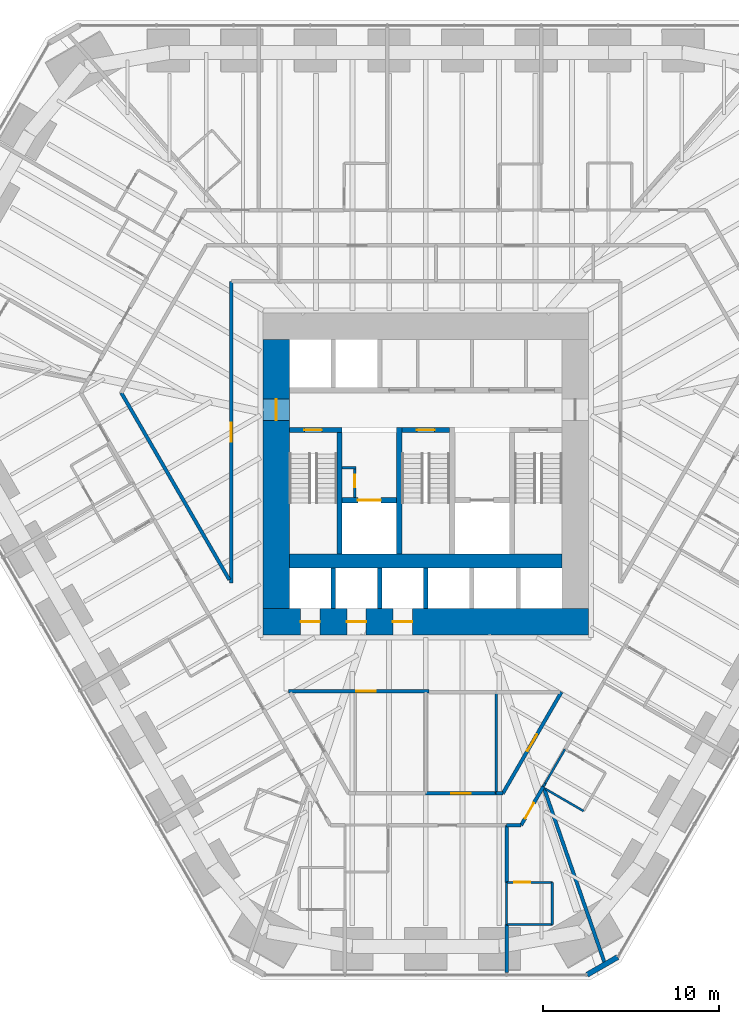
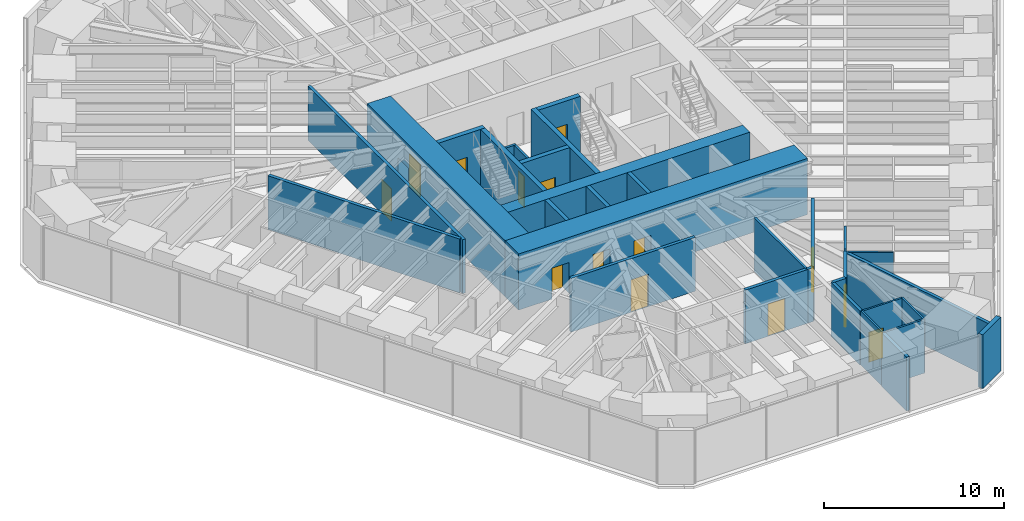
# One storey, part 12 of 17: 33 walls, 14 doors, 14 openings.
"""IFC4 building model written with IfcOpenShell, lengths in metres."""

from ifc_helpers import new_model, si_unit, direction, frame, frame_2d, origin, place, context, subcontext, project, spatial, rectangle, extrude, material, layer, layer_set, type_object, element, fill, save


model = new_model("IFC4")

# Units and contexts
model_context = context("Model", 3, precision=1e-05, world=origin(), true_north=direction((0.0, 1.0)))
body_context = subcontext(model_context, "Body", "Model", "MODEL_VIEW")
ifc_project = project(units=[si_unit("LENGTHUNIT", "METRE"), si_unit("AREAUNIT", "SQUARE_METRE"), si_unit("VOLUMEUNIT", "CUBIC_METRE"), si_unit("PLANEANGLEUNIT", "RADIAN"), si_unit("MASSUNIT", "GRAM", prefix="KILO")], contexts=[model_context])

# Site, building, storey
site_placement = place(None, origin())
site = spatial("IfcSite", under=ifc_project, at=site_placement, CompositionType="ELEMENT")
building_placement = place(site_placement, origin())
building = spatial("IfcBuilding", under=site, at=building_placement, Name="Sandreach Pilgrim Tower", CompositionType="ELEMENT")
storey_placement = place(building_placement, frame((0.0, 0.0, 61.0)))
storey = spatial("IfcBuildingStorey", under=building, at=storey_placement, Name="L14", CompositionType="ELEMENT", Elevation=61.0)

# Walls
ifc_material_1 = material(Name="Gypsum board on steel studs", Category="steel")
ifc_layer_1 = layer(ifc_material_1, 0.14990234375)
ifc_layer_set_1 = layer_set([ifc_layer_1], Name="Back of house wall 150")
wall_type_1 = type_object("IfcWallType", Name="Back of house wall 150", PredefinedType="PARTITIONING", material=ifc_layer_set_1)
wall_1_placement = place(storey_placement, frame((4.0, -13.949951171875, 0.0), z_axis=(0.0, 0.0, 1.0), x_axis=(0.0, -1.0, 0.0)))
element("IfcWall", 1, at=wall_1_placement, inside=storey, type_object=wall_type_1, Name="Back of house wall L14-093", PredefinedType="PARTITIONING", context=body_context, shape_type="SweptSolid", body=[
    extrude(rectangle(XDim=5.760009765625, YDim=0.14990234375, at=frame_2d((2.8798828125, 0.0))), origin(), (0.0, 0.0, 1.0), 3.639892578125),
])
ifc_material_2 = material(Name="Moisture-resistant gypsum board on steel studs", Category="steel")
ifc_layer_2 = layer(ifc_material_2, 0.1201171875)
ifc_layer_set_2 = layer_set([ifc_layer_2], Name="Bathroom partition 120")
wall_type_2 = type_object("IfcWallType", Name="Bathroom partition 120", PredefinedType="PARTITIONING", material=ifc_layer_set_2)
wall_2_placement = place(storey_placement, frame((4.590087890625, -27.159912109375, 0.0), z_axis=(0.0, 0.0, 1.0), x_axis=(0.0, 1.0, 0.0)))
element("IfcWall", 2, at=wall_2_placement, inside=storey, type_object=wall_type_2, Name="Bathroom partition L14-099", PredefinedType="PARTITIONING", context=body_context, shape_type="SweptSolid", body=[
    extrude(rectangle(XDim=2.39990234375, YDim=0.1201171875, at=frame_2d((1.199951171875, 0.0))), origin(), (0.0, 0.0, 1.0), 3.639892578125),
])
wall_3_placement = place(storey_placement, frame((4.590087890625, -27.159912109375, 0.0), z_axis=(0.0, 0.0, 1.0), x_axis=(1.0, 0.0, 0.0)))
element("IfcWall", 3, at=wall_3_placement, inside=storey, type_object=wall_type_2, Name="Bathroom partition L14-100", PredefinedType="PARTITIONING", context=body_context, shape_type="SweptSolid", body=[
    extrude(rectangle(XDim=2.599853515625, YDim=0.1201171875, at=frame_2d((1.2998046875, 0.0))), origin(), (0.0, 0.0, 1.0), 3.639892578125),
])
wall_4_placement = place(storey_placement, frame((6.68994140625, -19.31005859375, 0.0), z_axis=(0.0, 0.0, 1.0), x_axis=(0.486146223419, 0.873877479659, 0.0)))
element("IfcWall", 4, at=wall_4_placement, inside=storey, type_object=wall_type_2, Name="Bathroom partition L14-108", PredefinedType="PARTITIONING", context=body_context, shape_type="SweptSolid", body=[
    extrude(rectangle(XDim=0.205810546875, YDim=0.1201171875, at=frame_2d((0.10302734375, 0.0))), origin(), (0.0, 0.0, 1.0), 3.639892578125),
])
wall_5_placement = place(storey_placement, frame((6.7900390625, -19.1298828125, 0.0), z_axis=(0.0, 0.0, 1.0), x_axis=(0.501890014208, 0.864931450254, 0.0)))
element("IfcWall", 5, at=wall_5_placement, inside=storey, type_object=wall_type_2, Name="Bathroom partition L14-109", PredefinedType="PARTITIONING", context=body_context, shape_type="SweptSolid", body=[
    extrude(rectangle(XDim=2.231201171875, YDim=0.1201171875, at=frame_2d((1.11572265625, 0.0))), origin(), (0.0, 0.0, 1.0), 3.639892578125),
])
wall_6_placement = place(storey_placement, frame((6.812255859375, -19.457763671875, 0.0), z_axis=(0.0, 0.0, 1.0), x_axis=(0.864905443987, -0.501934829397, 0.0)))
element("IfcWall", 6, at=wall_6_placement, inside=storey, type_object=wall_type_2, Name="Bathroom partition L14-110", PredefinedType="PARTITIONING", context=body_context, shape_type="SweptSolid", body=[
    extrude(rectangle(XDim=2.49462890625, YDim=0.1201171875, at=frame_2d((1.247314453125, 0.0))), origin(), (0.0, 0.0, 1.0), 3.639892578125),
])
wall_7_placement = place(storey_placement, frame((7.18994140625, -27.159912109375, 0.0), z_axis=(0.0, 0.0, 1.0), x_axis=(0.0, 1.0, 0.0)))
element("IfcWall", 7, at=wall_7_placement, inside=storey, type_object=wall_type_2, Name="Bathroom partition L14-111", PredefinedType="PARTITIONING", context=body_context, shape_type="SweptSolid", body=[
    extrude(rectangle(XDim=2.39990234375, YDim=0.1201171875, at=frame_2d((1.199951171875, 0.0))), origin(), (0.0, 0.0, 1.0), 3.639892578125),
])

# Wall, opening, door
wall_8_placement = place(storey_placement, frame((7.18994140625, -24.760009765625, 0.0), z_axis=(0.0, 0.0, 1.0), x_axis=(-1.0, 0.0, 0.0)))
wall_8 = element("IfcWall", 8, at=wall_8_placement, inside=storey, type_object=wall_type_2, Name="Bathroom partition L14-112", PredefinedType="PARTITIONING", context=body_context, shape_type="SweptSolid", body=[
    extrude(rectangle(XDim=2.599853515625, YDim=0.1201171875, at=frame_2d((1.2998046875, 0.0))), origin(), (0.0, 0.0, 1.0), 3.639892578125),
])
opening_1_placement = place(wall_8_placement, frame((1.25, 0.0, 0.0)))
opening_1 = element("IfcOpeningElement", 9, at=opening_1_placement, cuts=wall_8, Name="Opening D09-11B", PredefinedType="OPENING", context=body_context, shape_type="SweptSolid", body=[
    extrude(rectangle(XDim=0.89990234375, YDim=2.030029296875, at=frame_2d((0.449951171875, 1.01513671875))), frame((0.0, 0.06005859375, 0.0), z_axis=(0.0, -1.0, 0.0), x_axis=(1.0, 0.0, 0.0)), (0.0, 0.0, 1.0), 0.1201171875),
])
ifc_material_3 = material(Name="Timber door, steel frame", Category="steel")
door_type_1 = type_object("IfcDoorType", Name="Bathroom door", OperationType="SINGLE_SWING_LEFT", PredefinedType="DOOR", material=ifc_material_3)
door_1_placement = place(opening_1_placement, origin())
door_1 = element("IfcDoor", 10, at=door_1_placement, inside=storey, type_object=door_type_1, Name="Door 1411B", OperationType="SINGLE_SWING_RIGHT", OverallHeight=2.030029296875, OverallWidth=0.89990234375, PredefinedType="DOOR", context=body_context, shape_type="SweptSolid", body=[
    extrude(rectangle(XDim=0.89990234375, YDim=2.030029296875, at=frame_2d((0.449951171875, 1.01513671875))), frame((0.0, 0.02490234375, 0.0), z_axis=(0.0, -1.0, 0.0), x_axis=(1.0, 0.0, 0.0)), (0.0, 0.0, 1.0), 0.050048828125),
])
fill(opening_1, door_1)

# Walls
ifc_material_4 = material(Name="Concrete 10000 psi", Category="concrete")
ifc_layer_3 = layer(ifc_material_4, 0.300048828125)
ifc_layer_set_3 = layer_set([ifc_layer_3], Name="Core inner wall 300")
wall_type_3 = type_object("IfcWallType", Name="Core inner wall 300", PredefinedType="SHEAR", material=ifc_layer_set_3)
for number, where, z_axis, x_axis, name in (
    (11, (-4.89990234375, -6.10009765625, 0.0), (0.0, 0.0, 1.0), (0.0, 1.0, 0.0), "Core wall I0 L14"),
    (12, (-1.5, -6.10009765625, 0.0), (0.0, 0.0, 1.0), (0.0, 1.0, 0.0), "Core wall I1 L14"),
):
    element("IfcWall", number, at=place(storey_placement, frame(where, z_axis=z_axis, x_axis=x_axis)), inside=storey, type_object=wall_type_3, Name=name, PredefinedType="SHEAR", context=body_context, shape_type="SweptSolid", body=[
        extrude(rectangle(XDim=7.2001953125, YDim=0.300048828125, at=frame_2d((3.60009765625, 0.0))), origin(), (0.0, 0.0, 1.0), 3.800048828125),
    ])

# Wall, opening, door
wall_9_placement = place(storey_placement, frame((-7.75, 0.949951171875, 0.0), z_axis=(0.0, 0.0, 1.0), x_axis=(1.0, 0.0, 0.0)))
wall_9 = element("IfcWall", 13, at=wall_9_placement, inside=storey, type_object=wall_type_3, Name="Core wall SN1 L14", PredefinedType="SHEAR", context=body_context, shape_type="SweptSolid", body=[
    extrude(rectangle(XDim=3.0, YDim=0.300048828125, at=frame_2d((1.5, 0.0))), origin(), (0.0, 0.0, 1.0), 3.800048828125),
])
opening_2_placement = place(wall_9_placement, frame((0.85009765625, 0.0, 0.0)))
opening_2 = element("IfcOpeningElement", 14, at=opening_2_placement, cuts=wall_9, Name="Opening D10S-ST1", PredefinedType="OPENING", context=body_context, shape_type="SweptSolid", body=[
    extrude(rectangle(XDim=1.0, YDim=2.199951171875, at=frame_2d((0.5, 1.10009765625))), frame((0.0, 0.14990234375, 0.0), z_axis=(0.0, -1.0, 0.0), x_axis=(1.0, 0.0, 0.0)), (0.0, 0.0, 1.0), 0.300048828125),
])
ifc_material_5 = material(Name="Steel door and frame", Category="steel")
door_type_2 = type_object("IfcDoorType", Name="Stair door", OperationType="SINGLE_SWING_LEFT", PredefinedType="DOOR", material=ifc_material_5)
door_2_placement = place(opening_2_placement, origin())
door_2 = element("IfcDoor", 15, at=door_2_placement, inside=storey, type_object=door_type_2, Name="Stair door ST1 L14", OperationType="SINGLE_SWING_LEFT", OverallHeight=2.199951171875, OverallWidth=1.0, PredefinedType="DOOR", context=body_context, shape_type="SweptSolid", body=[
    extrude(rectangle(XDim=1.0, YDim=2.199951171875, at=frame_2d((0.5, 1.10009765625))), frame((0.0, 0.02490234375, 0.0), z_axis=(0.0, -1.0, 0.0), x_axis=(1.0, 0.0, 0.0)), (0.0, 0.0, 1.0), 0.050048828125),
])
fill(opening_2, door_2)

wall_10_placement = place(storey_placement, frame((-1.35009765625, 0.949951171875, 0.0), z_axis=(0.0, 0.0, 1.0), x_axis=(1.0, 0.0, 0.0)))
wall_10 = element("IfcWall", 16, at=wall_10_placement, inside=storey, type_object=wall_type_3, Name="Core wall SN3 L14", PredefinedType="SHEAR", context=body_context, shape_type="SweptSolid", body=[
    extrude(rectangle(XDim=2.7001953125, YDim=0.300048828125, at=frame_2d((1.35009765625, 0.0))), origin(), (0.0, 0.0, 1.0), 3.800048828125),
])
opening_3_placement = place(wall_10_placement, frame((0.85009765625, 0.0, 0.0)))
opening_3 = element("IfcOpeningElement", 17, at=opening_3_placement, cuts=wall_10, Name="Opening D10S-ST3", PredefinedType="OPENING", context=body_context, shape_type="SweptSolid", body=[
    extrude(rectangle(XDim=1.0, YDim=2.199951171875, at=frame_2d((0.5, 1.10009765625))), frame((0.0, 0.14990234375, 0.0), z_axis=(0.0, -1.0, 0.0), x_axis=(1.0, 0.0, 0.0)), (0.0, 0.0, 1.0), 0.300048828125),
])
door_3_placement = place(opening_3_placement, origin())
door_3 = element("IfcDoor", 18, at=door_3_placement, inside=storey, type_object=door_type_2, Name="Stair door ST3 L14", OperationType="SINGLE_SWING_LEFT", OverallHeight=2.199951171875, OverallWidth=1.0, PredefinedType="DOOR", context=body_context, shape_type="SweptSolid", body=[
    extrude(rectangle(XDim=1.0, YDim=2.199951171875, at=frame_2d((0.5, 1.10009765625))), frame((0.0, 0.02490234375, 0.0), z_axis=(0.0, -1.0, 0.0), x_axis=(1.0, 0.0, 0.0)), (0.0, 0.0, 1.0), 0.050048828125),
])
fill(opening_3, door_3)

wall_11_placement = place(storey_placement, frame((-4.75, -3.050048828125, 0.0), z_axis=(0.0, 0.0, 1.0), x_axis=(1.0, 0.0, 0.0)))
wall_11 = element("IfcWall", 19, at=wall_11_placement, inside=storey, type_object=wall_type_3, Name="Core wall FL1 L14", PredefinedType="SHEAR", context=body_context, shape_type="SweptSolid", body=[
    extrude(rectangle(XDim=3.10009765625, YDim=0.300048828125, at=frame_2d((1.550048828125, 0.0))), origin(), (0.0, 0.0, 1.0), 3.800048828125),
])
opening_4_placement = place(wall_11_placement, frame((0.89990234375, 0.0, 0.0)))
opening_4 = element("IfcOpeningElement", 20, at=opening_4_placement, cuts=wall_11, Name="Opening LD13", PredefinedType="OPENING", context=body_context, shape_type="SweptSolid", body=[
    extrude(rectangle(XDim=1.300048828125, YDim=2.10009765625, at=frame_2d((0.64990234375, 1.050048828125))), frame((0.0, 0.14990234375, 0.0), z_axis=(0.0, -1.0, 0.0), x_axis=(1.0, 0.0, 0.0)), (0.0, 0.0, 1.0), 0.300048828125),
])
ifc_material_6 = material(Name="Steel door and frame", Category="steel")
door_type_3 = type_object("IfcDoorType", Name="Fire service lift landing door", OperationType="DOUBLE_DOOR_SLIDING", PredefinedType="DOOR", material=ifc_material_6)
door_4_placement = place(opening_4_placement, origin())
door_4 = element("IfcDoor", 21, at=door_4_placement, inside=storey, type_object=door_type_3, Name="Lift landing door FS1 L14", OperationType="DOUBLE_DOOR_SLIDING", OverallHeight=2.10009765625, OverallWidth=1.300048828125, PredefinedType="DOOR", context=body_context, shape_type="SweptSolid", body=[
    extrude(rectangle(XDim=1.300048828125, YDim=2.10009765625, at=frame_2d((0.64990234375, 1.050048828125))), frame((0.0, 0.02490234375, 0.0), z_axis=(0.0, -1.0, 0.0), x_axis=(1.0, 0.0, 0.0)), (0.0, 0.0, 1.0), 0.050048828125),
])
fill(opening_4, door_4)

# Wall
ifc_material_7 = material(Name="Concrete 10000 psi", Category="concrete")
ifc_layer_4 = layer(ifc_material_7, 0.800048828125)
ifc_layer_set_4 = layer_set([ifc_layer_4], Name="Core mid wall 800")
wall_type_4 = type_object("IfcWallType", Name="Core mid wall 800", PredefinedType="SHEAR", material=ifc_layer_set_4)
wall_12_placement = place(storey_placement, frame((-7.75, -6.5, 0.0), z_axis=(0.0, 0.0, 1.0), x_axis=(1.0, 0.0, 0.0)))
element("IfcWall", 22, at=wall_12_placement, inside=storey, type_object=wall_type_4, Name="Core wall M L14", PredefinedType="SHEAR", context=body_context, shape_type="SweptSolid", body=[
    extrude(rectangle(XDim=15.5, YDim=0.800048828125, at=frame_2d((7.75, 0.0))), origin(), (0.0, 0.0, 1.0), 3.800048828125),
])

# Wall, openings, doors
ifc_material_8 = material(Name="Concrete 10000 psi", Category="concrete")
ifc_layer_5 = layer(ifc_material_8, 1.5)
ifc_layer_set_5 = layer_set([ifc_layer_5], Name="Core wall 1500")
wall_type_5 = type_object("IfcWallType", Name="Core wall 1500", PredefinedType="SHEAR", material=ifc_layer_set_5)
wall_13_placement = place(storey_placement, frame((-9.25, -9.949951171875, 0.0), z_axis=(0.0, 0.0, 1.0), x_axis=(1.0, 0.0, 0.0)))
wall_13 = element("IfcWall", 23, at=wall_13_placement, inside=storey, type_object=wall_type_5, Name="Core wall S L14", PredefinedType="SHEAR", context=body_context, shape_type="SweptSolid", body=[
    extrude(rectangle(XDim=18.5, YDim=1.5, at=frame_2d((9.25, 0.0))), origin(), (0.0, 0.0, 1.0), 3.800048828125),
])
opening_5_placement = place(wall_13_placement, frame((2.137451171875, 0.0, 0.0)))
opening_5 = element("IfcOpeningElement", 24, at=opening_5_placement, cuts=wall_13, Name="Opening LD11", PredefinedType="OPENING", context=body_context, shape_type="SweptSolid", body=[
    extrude(rectangle(XDim=1.10009765625, YDim=2.10009765625, at=frame_2d((0.550048828125, 1.050048828125))), frame((0.0, 0.75, 0.0), z_axis=(0.0, -1.0, 0.0), x_axis=(1.0, 0.0, 0.0)), (0.0, 0.0, 1.0), 1.5),
])
opening_6_placement = place(wall_13_placement, frame((4.762451171875, 0.0, 0.0)))
opening_6 = element("IfcOpeningElement", 25, at=opening_6_placement, cuts=wall_13, Name="Opening LD11", PredefinedType="OPENING", context=body_context, shape_type="SweptSolid", body=[
    extrude(rectangle(XDim=1.10009765625, YDim=2.10009765625, at=frame_2d((0.550048828125, 1.050048828125))), frame((0.0, 0.75, 0.0), z_axis=(0.0, -1.0, 0.0), x_axis=(1.0, 0.0, 0.0)), (0.0, 0.0, 1.0), 1.5),
])
opening_7_placement = place(wall_13_placement, frame((7.387451171875, 0.0, 0.0)))
opening_7 = element("IfcOpeningElement", 26, at=opening_7_placement, cuts=wall_13, Name="Opening LD11", PredefinedType="OPENING", context=body_context, shape_type="SweptSolid", body=[
    extrude(rectangle(XDim=1.10009765625, YDim=2.10009765625, at=frame_2d((0.550048828125, 1.050048828125))), frame((0.0, 0.75, 0.0), z_axis=(0.0, -1.0, 0.0), x_axis=(1.0, 0.0, 0.0)), (0.0, 0.0, 1.0), 1.5),
])
ifc_material_9 = material(Name="Steel door and frame", Category="steel")
door_type_4 = type_object("IfcDoorType", Name="Lift landing door", OperationType="DOUBLE_DOOR_SLIDING", PredefinedType="DOOR", material=ifc_material_9)
door_5_placement = place(opening_5_placement, origin())
door_5 = element("IfcDoor", 27, at=door_5_placement, inside=storey, type_object=door_type_4, Name="Lift landing door Z1A L14", OperationType="DOUBLE_DOOR_SLIDING", OverallHeight=2.10009765625, OverallWidth=1.10009765625, PredefinedType="DOOR", context=body_context, shape_type="SweptSolid", body=[
    extrude(rectangle(XDim=1.10009765625, YDim=2.10009765625, at=frame_2d((0.550048828125, 1.050048828125))), frame((0.0, 0.02490234375, 0.0), z_axis=(0.0, -1.0, 0.0), x_axis=(1.0, 0.0, 0.0)), (0.0, 0.0, 1.0), 0.050048828125),
])
fill(opening_5, door_5)
door_6_placement = place(opening_6_placement, origin())
door_6 = element("IfcDoor", 28, at=door_6_placement, inside=storey, type_object=door_type_4, Name="Lift landing door Z1B L14", OperationType="DOUBLE_DOOR_SLIDING", OverallHeight=2.10009765625, OverallWidth=1.10009765625, PredefinedType="DOOR", context=body_context, shape_type="SweptSolid", body=[
    extrude(rectangle(XDim=1.10009765625, YDim=2.10009765625, at=frame_2d((0.550048828125, 1.050048828125))), frame((0.0, 0.02490234375, 0.0), z_axis=(0.0, -1.0, 0.0), x_axis=(1.0, 0.0, 0.0)), (0.0, 0.0, 1.0), 0.050048828125),
])
fill(opening_6, door_6)
door_7_placement = place(opening_7_placement, origin())
door_7 = element("IfcDoor", 29, at=door_7_placement, inside=storey, type_object=door_type_4, Name="Lift landing door Z1C L14", OperationType="DOUBLE_DOOR_SLIDING", OverallHeight=2.10009765625, OverallWidth=1.10009765625, PredefinedType="DOOR", context=body_context, shape_type="SweptSolid", body=[
    extrude(rectangle(XDim=1.10009765625, YDim=2.10009765625, at=frame_2d((0.550048828125, 1.050048828125))), frame((0.0, 0.02490234375, 0.0), z_axis=(0.0, -1.0, 0.0), x_axis=(1.0, 0.0, 0.0)), (0.0, 0.0, 1.0), 0.050048828125),
])
fill(opening_7, door_7)

# Wall, opening, door
wall_14_placement = place(storey_placement, frame((-8.5, -9.199951171875, 0.0), z_axis=(0.0, 0.0, 1.0), x_axis=(0.0, 1.0, 0.0)))
wall_14 = element("IfcWall", 30, at=wall_14_placement, inside=storey, type_object=wall_type_5, Name="Core wall W L14", PredefinedType="SHEAR", context=body_context, shape_type="SweptSolid", body=[
    extrude(rectangle(XDim=15.300048828125, YDim=1.5, at=frame_2d((7.64990234375, 0.0))), origin(), (0.0, 0.0, 1.0), 3.800048828125),
])
opening_8_placement = place(wall_14_placement, frame((10.699951171875, 0.0, 0.0)))
opening_8 = element("IfcOpeningElement", 31, at=opening_8_placement, cuts=wall_14, Name="Opening D12F-W", PredefinedType="OPENING", context=body_context, shape_type="SweptSolid", body=[
    extrude(rectangle(XDim=1.199951171875, YDim=2.199951171875, at=frame_2d((0.60009765625, 1.10009765625))), frame((0.0, 0.75, 0.0), z_axis=(0.0, -1.0, 0.0), x_axis=(1.0, 0.0, 0.0)), (0.0, 0.0, 1.0), 1.5),
])
ifc_material_10 = material(Name="Steel door and frame", Category="steel")
door_type_5 = type_object("IfcDoorType", Name="Fire lobby door", OperationType="SINGLE_SWING_LEFT", PredefinedType="DOOR", material=ifc_material_10)
door_8_placement = place(opening_8_placement, origin())
door_8 = element("IfcDoor", 32, at=door_8_placement, inside=storey, type_object=door_type_5, Name="Fire service lobby door W L14", OperationType="SINGLE_SWING_RIGHT", OverallHeight=2.199951171875, OverallWidth=1.199951171875, PredefinedType="DOOR", context=body_context, shape_type="SweptSolid", body=[
    extrude(rectangle(XDim=1.199951171875, YDim=2.199951171875, at=frame_2d((0.60009765625, 1.10009765625))), frame((0.0, 0.02490234375, 0.0), z_axis=(0.0, -1.0, 0.0), x_axis=(1.0, 0.0, 0.0)), (0.0, 0.0, 1.0), 0.050048828125),
])
fill(opening_8, door_8)

# Wall
ifc_material_11 = material(Name="Gypsum board on steel studs, two layers each side", Category="steel")
ifc_layer_6 = layer(ifc_material_11, 0.199951171875)
ifc_layer_set_6 = layer_set([ifc_layer_6], Name="Corridor wall 200")
wall_type_6 = type_object("IfcWallType", Name="Corridor wall 200", PredefinedType="PARTITIONING", material=ifc_layer_set_6)
wall_15_placement = place(storey_placement, frame((-11.16015625, -7.569580078125, 0.0), z_axis=(0.0, 0.0, 1.0), x_axis=(-0.500175206663, 0.865924224537, 0.0)))
element("IfcWall", 33, at=wall_15_placement, inside=storey, type_object=wall_type_6, Name="Corridor wall L14-047", PredefinedType="PARTITIONING", context=body_context, shape_type="SweptSolid", body=[
    extrude(rectangle(XDim=12.275390625, YDim=0.199951171875, at=frame_2d((6.1376953125, 0.0))), origin(), (0.0, 0.0, 1.0), 3.639892578125),
])

# Wall, opening, door
wall_16_placement = place(storey_placement, frame((-11.050048828125, 9.39990234375, 0.0), z_axis=(0.0, 0.0, 1.0), x_axis=(0.0, -1.0, 0.0)))
wall_16 = element("IfcWall", 34, at=wall_16_placement, inside=storey, type_object=wall_type_6, Name="Corridor wall L14-049", PredefinedType="PARTITIONING", context=body_context, shape_type="SweptSolid", body=[
    extrude(rectangle(XDim=17.159912109375, YDim=0.199951171875, at=frame_2d((8.580078125, 0.0))), origin(), (0.0, 0.0, 1.0), 3.639892578125),
])
opening_9_placement = place(wall_16_placement, frame((8.030029296875, 0.0, 0.0)))
opening_9 = element("IfcOpeningElement", 35, at=opening_9_placement, cuts=wall_16, Name="Opening D11H-M01", PredefinedType="OPENING", context=body_context, shape_type="SweptSolid", body=[
    extrude(rectangle(XDim=1.10009765625, YDim=2.199951171875, at=frame_2d((0.550048828125, 1.10009765625))), frame((0.0, 0.10009765625, 0.0), z_axis=(0.0, -1.0, 0.0), x_axis=(1.0, 0.0, 0.0)), (0.0, 0.0, 1.0), 0.199951171875),
])
ifc_material_12 = material(Name="Steel door and frame", Category="steel")
door_type_6 = type_object("IfcDoorType", Name="Back of house door", OperationType="SINGLE_SWING_LEFT", PredefinedType="DOOR", material=ifc_material_12)
door_9_placement = place(opening_9_placement, origin())
door_9 = element("IfcDoor", 36, at=door_9_placement, inside=storey, type_object=door_type_6, Name="Door 14M01", OperationType="SINGLE_SWING_LEFT", OverallHeight=2.199951171875, OverallWidth=1.10009765625, PredefinedType="DOOR", context=body_context, shape_type="SweptSolid", body=[
    extrude(rectangle(XDim=1.10009765625, YDim=2.199951171875, at=frame_2d((0.550048828125, 1.10009765625))), frame((0.0, 0.02490234375, 0.0), z_axis=(0.0, -1.0, 0.0), x_axis=(1.0, 0.0, 0.0)), (0.0, 0.0, 1.0), 0.050048828125),
])
fill(opening_9, door_9)

wall_17_placement = place(storey_placement, frame((0.179931640625, -13.89990234375, 0.0), z_axis=(0.0, 0.0, 1.0), x_axis=(-1.0, 0.0, 0.0)))
wall_17 = element("IfcWall", 37, at=wall_17_placement, inside=storey, type_object=wall_type_6, Name="Corridor wall L14-088", PredefinedType="PARTITIONING", context=body_context, shape_type="SweptSolid", body=[
    extrude(rectangle(XDim=7.969970703125, YDim=0.199951171875, at=frame_2d((3.98486328125, 0.0))), origin(), (0.0, 0.0, 1.0), 3.639892578125),
])
opening_10_placement = place(wall_17_placement, frame((3.034912109375, 0.0, 0.0)))
opening_10 = element("IfcOpeningElement", 38, at=opening_10_placement, cuts=wall_17, Name="Opening D11H-S2", PredefinedType="OPENING", context=body_context, shape_type="SweptSolid", body=[
    extrude(rectangle(XDim=1.10009765625, YDim=2.199951171875, at=frame_2d((0.550048828125, 1.10009765625))), frame((0.0, 0.10009765625, 0.0), z_axis=(0.0, -1.0, 0.0), x_axis=(1.0, 0.0, 0.0)), (0.0, 0.0, 1.0), 0.199951171875),
])
door_10_placement = place(opening_10_placement, origin())
door_10 = element("IfcDoor", 39, at=door_10_placement, inside=storey, type_object=door_type_6, Name="Door 14S2", OperationType="SINGLE_SWING_LEFT", OverallHeight=2.199951171875, OverallWidth=1.10009765625, PredefinedType="DOOR", context=body_context, shape_type="SweptSolid", body=[
    extrude(rectangle(XDim=1.10009765625, YDim=2.199951171875, at=frame_2d((0.550048828125, 1.10009765625))), frame((0.0, 0.02490234375, 0.0), z_axis=(0.0, -1.0, 0.0), x_axis=(1.0, 0.0, 0.0)), (0.0, 0.0, 1.0), 0.050048828125),
])
fill(opening_10, door_10)

wall_18_placement = place(storey_placement, frame((4.0, -19.7099609375, 0.0), z_axis=(0.0, 0.0, 1.0), x_axis=(-1.0, 0.0, 0.0)))
wall_18 = element("IfcWall", 40, at=wall_18_placement, inside=storey, type_object=wall_type_6, Name="Corridor wall L14-092", PredefinedType="PARTITIONING", context=body_context, shape_type="SweptSolid", body=[
    extrude(rectangle(XDim=4.0, YDim=0.199951171875, at=frame_2d((2.0, 0.0))), origin(), (0.0, 0.0, 1.0), 3.639892578125),
])
opening_11_placement = place(wall_18_placement, frame((1.449951171875, 0.0, 0.0)))
opening_11 = element("IfcOpeningElement", 41, at=opening_11_placement, cuts=wall_18, Name="Opening D11H-S3", PredefinedType="OPENING", context=body_context, shape_type="SweptSolid", body=[
    extrude(rectangle(XDim=1.10009765625, YDim=2.199951171875, at=frame_2d((0.550048828125, 1.10009765625))), frame((0.0, 0.10009765625, 0.0), z_axis=(0.0, -1.0, 0.0), x_axis=(1.0, 0.0, 0.0)), (0.0, 0.0, 1.0), 0.199951171875),
])
door_11_placement = place(opening_11_placement, origin())
door_11 = element("IfcDoor", 42, at=door_11_placement, inside=storey, type_object=door_type_6, Name="Door 14S3", OperationType="SINGLE_SWING_LEFT", OverallHeight=2.199951171875, OverallWidth=1.10009765625, PredefinedType="DOOR", context=body_context, shape_type="SweptSolid", body=[
    extrude(rectangle(XDim=1.10009765625, YDim=2.199951171875, at=frame_2d((0.550048828125, 1.10009765625))), frame((0.0, 0.02490234375, 0.0), z_axis=(0.0, -1.0, 0.0), x_axis=(1.0, 0.0, 0.0)), (0.0, 0.0, 1.0), 0.050048828125),
])
fill(opening_11, door_11)

# Walls
wall_19_placement = place(storey_placement, frame((4.3798828125, -19.7099609375, 0.0), z_axis=(0.0, 0.0, 1.0), x_axis=(-1.0, 0.0, 0.0)))
element("IfcWall", 43, at=wall_19_placement, inside=storey, type_object=wall_type_6, Name="Corridor wall L14-097", PredefinedType="PARTITIONING", context=body_context, shape_type="SweptSolid", body=[
    extrude(rectangle(XDim=0.3798828125, YDim=0.199951171875, at=frame_2d((0.18994140625, 0.0))), origin(), (0.0, 0.0, 1.0), 3.639892578125),
])
wall_20_placement = place(storey_placement, frame((4.590087890625, -21.510009765625, 0.0), z_axis=(0.0, 0.0, 1.0), x_axis=(1.0, 0.0, 0.0)))
element("IfcWall", 44, at=wall_20_placement, inside=storey, type_object=wall_type_6, Name="Corridor wall L14-102", PredefinedType="PARTITIONING", context=body_context, shape_type="SweptSolid", body=[
    extrude(rectangle(XDim=0.829833984375, YDim=0.199951171875, at=frame_2d((0.4150390625, 0.0))), origin(), (0.0, 0.0, 1.0), 3.639892578125),
])

# Wall, opening, door
wall_21_placement = place(storey_placement, frame((5.419921875, -21.510009765625, 0.0), z_axis=(0.0, 0.0, 1.0), x_axis=(0.499963722229, 0.866046347752, 0.0)))
wall_21 = element("IfcWall", 45, at=wall_21_placement, inside=storey, type_object=wall_type_6, Name="Corridor wall L14-103", PredefinedType="PARTITIONING", context=body_context, shape_type="SweptSolid", body=[
    extrude(rectangle(XDim=2.540283203125, YDim=0.199951171875, at=frame_2d((1.27001953125, 0.0))), origin(), (0.0, 0.0, 1.0), 3.639892578125),
])
opening_12_placement = place(wall_21_placement, frame((0.449951171875, 0.0, 0.0)))
opening_12 = element("IfcOpeningElement", 46, at=opening_12_placement, cuts=wall_21, Name="Opening D10-11", PredefinedType="OPENING", context=body_context, shape_type="SweptSolid", body=[
    extrude(rectangle(XDim=1.0, YDim=2.1298828125, at=frame_2d((0.5, 1.06494140625))), frame((0.0, 0.10009765625, 0.0), z_axis=(0.0, -1.0, 0.0), x_axis=(1.0, 0.0, 0.0)), (0.0, 0.0, 1.0), 0.199951171875),
])
ifc_material_13 = material(Name="Steel door and frame", Category="steel")
door_type_7 = type_object("IfcDoorType", Name="Guest room entry door", OperationType="SINGLE_SWING_LEFT", PredefinedType="DOOR", material=ifc_material_13)
door_12_placement = place(opening_12_placement, origin())
door_12 = element("IfcDoor", 47, at=door_12_placement, inside=storey, type_object=door_type_7, Name="Door 1411", OperationType="SINGLE_SWING_LEFT", OverallHeight=2.1298828125, OverallWidth=1.0, PredefinedType="DOOR", context=body_context, shape_type="SweptSolid", body=[
    extrude(rectangle(XDim=1.0, YDim=2.1298828125, at=frame_2d((0.5, 1.06494140625))), frame((0.0, 0.02490234375, 0.0), z_axis=(0.0, -1.0, 0.0), x_axis=(1.0, 0.0, 0.0)), (0.0, 0.0, 1.0), 0.050048828125),
])
fill(opening_12, door_12)

wall_22_placement = place(storey_placement, frame((7.7099609375, -13.949951171875, 0.0), z_axis=(0.0, 0.0, 1.0), x_axis=(-0.500511113963, -0.865730110831, 0.0)))
wall_22 = element("IfcWall", 48, at=wall_22_placement, inside=storey, type_object=wall_type_6, Name="Corridor wall L14-113", PredefinedType="PARTITIONING", context=body_context, shape_type="SweptSolid", body=[
    extrude(rectangle(XDim=6.6533203125, YDim=0.199951171875, at=frame_2d((3.32666015625, 0.0))), origin(), (0.0, 0.0, 1.0), 3.639892578125),
])
opening_13_placement = place(wall_22_placement, frame((2.776611328125, 0.0, 0.0)))
opening_13 = element("IfcOpeningElement", 49, at=opening_13_placement, cuts=wall_22, Name="Opening D11H-S4", PredefinedType="OPENING", context=body_context, shape_type="SweptSolid", body=[
    extrude(rectangle(XDim=1.10009765625, YDim=2.199951171875, at=frame_2d((0.550048828125, 1.10009765625))), frame((0.0, 0.10009765625, 0.0), z_axis=(0.0, -1.0, 0.0), x_axis=(1.0, 0.0, 0.0)), (0.0, 0.0, 1.0), 0.199951171875),
])
door_13_placement = place(opening_13_placement, origin())
door_13 = element("IfcDoor", 50, at=door_13_placement, inside=storey, type_object=door_type_6, Name="Door 14S4", OperationType="SINGLE_SWING_LEFT", OverallHeight=2.199951171875, OverallWidth=1.10009765625, PredefinedType="DOOR", context=body_context, shape_type="SweptSolid", body=[
    extrude(rectangle(XDim=1.10009765625, YDim=2.199951171875, at=frame_2d((0.550048828125, 1.10009765625))), frame((0.0, 0.02490234375, 0.0), z_axis=(0.0, -1.0, 0.0), x_axis=(1.0, 0.0, 0.0)), (0.0, 0.0, 1.0), 0.050048828125),
])
fill(opening_13, door_13)

# Walls
ifc_material_14 = material(Name="Double steel stud acoustic wall, gypsum board", Category="steel")
ifc_layer_7 = layer(ifc_material_14, 0.199951171875)
ifc_layer_set_7 = layer_set([ifc_layer_7], Name="Party wall 200")
wall_type_7 = type_object("IfcWallType", Name="Party wall 200", PredefinedType="PARTITIONING", material=ifc_layer_set_7)
wall_23_placement = place(storey_placement, frame((4.590087890625, -29.889892578125, 0.0), z_axis=(0.0, 0.0, 1.0), x_axis=(0.0, 1.0, 0.0)))
element("IfcWall", 51, at=wall_23_placement, inside=storey, type_object=wall_type_7, Name="Party wall L14-098", PredefinedType="PARTITIONING", context=body_context, shape_type="SweptSolid", body=[
    extrude(rectangle(XDim=2.72998046875, YDim=0.199951171875, at=frame_2d((1.364990234375, 0.0))), origin(), (0.0, 0.0, 1.0), 3.639892578125),
])
wall_24_placement = place(storey_placement, frame((4.590087890625, -24.760009765625, 0.0), z_axis=(0.0, 0.0, 1.0), x_axis=(0.0, 1.0, 0.0)))
element("IfcWall", 52, at=wall_24_placement, inside=storey, type_object=wall_type_7, Name="Party wall L14-101", PredefinedType="PARTITIONING", context=body_context, shape_type="SweptSolid", body=[
    extrude(rectangle(XDim=3.239990234375, YDim=0.199951171875, at=frame_2d((1.6201171875, 0.0))), origin(), (0.0, 0.0, 1.0), 3.639892578125),
])
wall_25_placement = place(storey_placement, frame((10.2001953125, -29.441650390625, 0.0), z_axis=(0.0, 0.0, 1.0), x_axis=(-0.327758043269, 0.944761697505, 0.0)))
element("IfcWall", 53, at=wall_25_placement, inside=storey, type_object=wall_type_7, Name="Party wall L14-123", PredefinedType="PARTITIONING", context=body_context, shape_type="SweptSolid", body=[
    extrude(rectangle(XDim=10.6181640625, YDim=0.199951171875, at=frame_2d((5.30908203125, 0.0))), origin(), (0.0, 0.0, 1.0), 3.639892578125),
])

# Wall, opening, door
ifc_material_15 = material(Name="Gypsum shaft wall on steel studs, shaft liner board", Category="steel")
ifc_layer_8 = layer(ifc_material_15, 0.14990234375)
ifc_layer_set_8 = layer_set([ifc_layer_8], Name="Riser shaft wall 150")
wall_type_8 = type_object("IfcWallType", Name="Riser shaft wall 150", PredefinedType="PARTITIONING", material=ifc_layer_set_8)
wall_26_placement = place(storey_placement, frame((-4.02490234375, -2.89990234375, 0.0), z_axis=(0.0, 0.0, 1.0), x_axis=(0.0, 1.0, 0.0)))
wall_26 = element("IfcWall", 54, at=wall_26_placement, inside=storey, type_object=wall_type_8, Name="Riser partition L14 side", PredefinedType="PARTITIONING", context=body_context, shape_type="SweptSolid", body=[
    extrude(rectangle(XDim=1.77490234375, YDim=0.14990234375, at=frame_2d((0.887451171875, 0.0))), origin(), (0.0, 0.0, 1.0), 3.639892578125),
])
opening_14_placement = place(wall_26_placement, frame((0.60009765625, 0.0, 0.0)))
opening_14 = element("IfcOpeningElement", 55, at=opening_14_placement, cuts=wall_26, Name="Opening D07R", PredefinedType="OPENING", context=body_context, shape_type="SweptSolid", body=[
    extrude(rectangle(XDim=0.699951171875, YDim=2.10009765625, at=frame_2d((0.35009765625, 1.050048828125))), frame((0.0, 0.074951171875, 0.0), z_axis=(0.0, -1.0, 0.0), x_axis=(1.0, 0.0, 0.0)), (0.0, 0.0, 1.0), 0.14990234375),
])
ifc_material_16 = material(Name="Steel door and frame, smoke seals", Category="steel")
door_type_8 = type_object("IfcDoorType", Name="Riser access door", OperationType="SINGLE_SWING_RIGHT", PredefinedType="DOOR", material=ifc_material_16)
door_14_placement = place(opening_14_placement, origin())
door_14 = element("IfcDoor", 56, at=door_14_placement, inside=storey, type_object=door_type_8, Name="Door riser 14ER", OperationType="SINGLE_SWING_RIGHT", OverallHeight=2.10009765625, OverallWidth=0.699951171875, PredefinedType="DOOR", context=body_context, shape_type="SweptSolid", body=[
    extrude(rectangle(XDim=0.699951171875, YDim=2.10009765625, at=frame_2d((0.35009765625, 1.050048828125))), frame((0.0, 0.02490234375, 0.0), z_axis=(0.0, -1.0, 0.0), x_axis=(1.0, 0.0, 0.0)), (0.0, 0.0, 1.0), 0.050048828125),
])
fill(opening_14, door_14)

# Walls
wall_27_placement = place(storey_placement, frame((-4.75, -1.199951171875, 0.0), z_axis=(0.0, 0.0, 1.0), x_axis=(1.0, 0.0, 0.0)))
element("IfcWall", 57, at=wall_27_placement, inside=storey, type_object=wall_type_8, Name="Riser partition L14 front", PredefinedType="PARTITIONING", context=body_context, shape_type="SweptSolid", body=[
    extrude(rectangle(XDim=0.800048828125, YDim=0.14990234375, at=frame_2d((0.39990234375, 0.0))), origin(), (0.0, 0.0, 1.0), 3.639892578125),
])
ifc_material_17 = material(Name="Gypsum shaft wall on steel studs, two layers of shaft liner board", Category="steel")
ifc_layer_9 = layer(ifc_material_17, 0.25)
ifc_layer_set_9 = layer_set([ifc_layer_9], Name="Shaft partition 250")
wall_type_9 = type_object("IfcWallType", Name="Shaft partition 250", PredefinedType="PARTITIONING", material=ifc_layer_set_9)
for number, where, z_axis, x_axis, name in (
    (58, (-5.25, -9.199951171875, 0.0), (0.0, 0.0, 1.0), (0.0, 1.0, 0.0), "Shaft partition XS0 L14"),
    (59, (-2.625, -9.199951171875, 0.0), (0.0, 0.0, 1.0), (0.0, 1.0, 0.0), "Shaft partition XS1 L14"),
    (60, (0.0, -9.199951171875, 0.0), (0.0, 0.0, 1.0), (0.0, 1.0, 0.0), "Shaft partition XS2 L14"),
):
    element("IfcWall", number, at=place(storey_placement, frame(where, z_axis=z_axis, x_axis=x_axis)), inside=storey, type_object=wall_type_9, Name=name, PredefinedType="PARTITIONING", context=body_context, shape_type="SweptSolid", body=[
        extrude(rectangle(XDim=2.300048828125, YDim=0.25, at=frame_2d((1.14990234375, 0.0))), origin(), (0.0, 0.0, 1.0), 3.800048828125),
    ])
ifc_material_18 = material(Name="Terracotta rainscreen on concrete", Category="masonry")
ifc_layer_10 = layer(ifc_material_18, 0.300048828125)
ifc_layer_set_10 = layer_set([ifc_layer_10], Name="Terracotta chamfer pier")
wall_type_10 = type_object("IfcWallType", Name="Terracotta chamfer pier", PredefinedType="SOLIDWALL", material=ifc_layer_set_10)
wall_28_placement = place(storey_placement, frame((10.904052734375, -29.010986328125, 0.0), z_axis=(0.0, 0.0, 1.0), x_axis=(-0.866010750942, -0.50002537861, 0.0)))
element("IfcWall", 61, at=wall_28_placement, inside=storey, type_object=wall_type_10, Name="Chamfer pier L14 SE", PredefinedType="SOLIDWALL", context=body_context, shape_type="SweptSolid", body=[
    extrude(rectangle(XDim=2.0, YDim=0.300048828125, at=frame_2d((1.0, 0.0))), origin(), (0.0, 0.0, 1.0), 3.639892578125),
])

save(model, "model.ifc")
